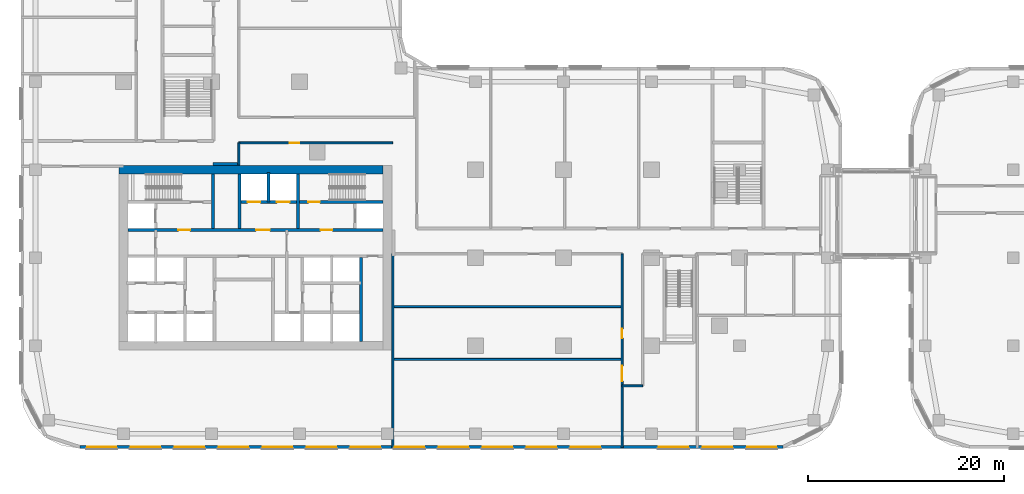
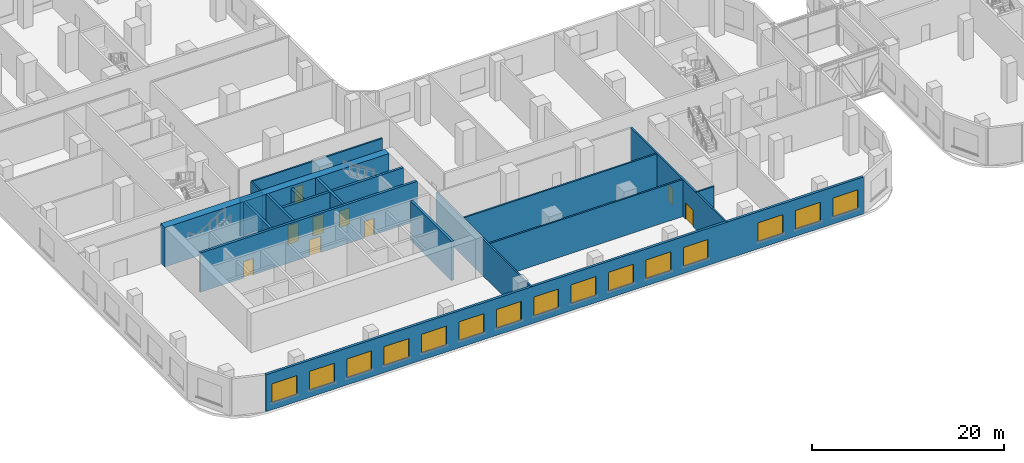
# One storey, part 7 of 35: 17 walls, 15 windows, 9 doors, 24 openings.
"""IFC4 building model written with IfcOpenShell, lengths in metres."""

import ifcopenshell
import ifcopenshell.guid

model = None  # the IFC model being written
_history = None  # IfcOwnerHistory: only IFC2X3 demands one
_inside = {}  # id of a spatial element -> (the spatial element, [elements in it])
_under = {}  # id of a project, library or spatial element -> (it, [spatial elements below it])
_declared = {}  # id of a project -> (the project, [libraries it declares])
_typed = {}  # id of a type object -> (the type object, [elements of that type])
_made_of = {}  # id of a material, layer set ... -> (it, [elements and type objects made of it])


def new_model(schema):
    """Start an empty IFC model of exactly this schema.

    Asked for "IFC4X3", IfcOpenShell would pick the latest addendum, in which some entities
    have other attributes; the version numbers below select the first issue.
    IFC2X3 requires an IfcOwnerHistory on every rooted entity: one is made here for all.
    """
    global model, _history
    if schema == "IFC4X3":
        model = ifcopenshell.file(schema_version=(4, 3, 0, 0))
    else:
        model = ifcopenshell.file(schema=schema)
    _inside.clear()
    _under.clear()
    _declared.clear()
    _typed.clear()
    _made_of.clear()
    _history = None
    if model.schema == "IFC2X3":
        org = make("IfcOrganization", Name="unknown")
        user = make(
            "IfcPersonAndOrganization",
            ThePerson=make("IfcPerson", FamilyName="unknown"),
            TheOrganization=org,
        )
        app = make(
            "IfcApplication",
            ApplicationDeveloper=org,
            Version="unknown",
            ApplicationFullName="unknown",
            ApplicationIdentifier="unknown",
        )
        _history = make(
            "IfcOwnerHistory",
            OwningUser=user,
            OwningApplication=app,
            ChangeAction="ADDED",
            CreationDate=0,
        )
    return model


def make(cls, **values):
    """One entity of the class cls with the attributes given. An attribute that is None is left unset."""
    return model.create_entity(
        cls, **{name: value for name, value in values.items() if value is not None}
    )


def rooted(cls, **values):
    """An entity with a GlobalId (a new one), such as an element, a storey or a relation."""
    return make(cls, GlobalId=ifcopenshell.guid.new(), OwnerHistory=_history, **values)


def si_unit(unit_type, name, prefix=None):
    """IfcSIUnit, for example si_unit("LENGTHUNIT", "METRE", prefix="MILLI")."""
    return make("IfcSIUnit", UnitType=unit_type, Prefix=prefix, Name=name)


def assignment(units):
    """IfcUnitAssignment: the units of a project."""
    return None if units is None else make("IfcUnitAssignment", Units=units)


def point(xyz):
    """IfcCartesianPoint."""
    return None if xyz is None else make("IfcCartesianPoint", Coordinates=xyz)


def direction(xyz):
    """IfcDirection."""
    return None if xyz is None else make("IfcDirection", DirectionRatios=xyz)


def frame(location, z_axis=None, x_axis=None):
    """IfcAxis2Placement3D, a coordinate frame: its origin and axes. An axis left out is left unset."""
    return make(
        "IfcAxis2Placement3D",
        Location=point(location),
        Axis=direction(z_axis),
        RefDirection=direction(x_axis),
    )


def frame_2d(location, x_axis=None):
    """IfcAxis2Placement2D, a coordinate frame in the plane: its origin and x axis."""
    return make(
        "IfcAxis2Placement2D", Location=point(location), RefDirection=direction(x_axis)
    )


def origin():
    """The frame at (0, 0, 0) with its axes left unset."""
    return frame((0.0, 0.0, 0.0))


def place(relative_to, where):
    """IfcLocalPlacement: puts the frame where relative to a parent placement (None: the world)."""
    return make(
        "IfcLocalPlacement", PlacementRelTo=relative_to, RelativePlacement=where
    )


def context(
    kind, dimensions, precision=None, world=None, true_north=None, identifier=None
):
    """IfcGeometricRepresentationContext, for example the 3D "Model" context."""
    return make(
        "IfcGeometricRepresentationContext",
        ContextIdentifier=identifier,
        ContextType=kind,
        CoordinateSpaceDimension=dimensions,
        Precision=precision,
        WorldCoordinateSystem=world,
        TrueNorth=true_north,
    )


def subcontext(parent, identifier, kind, view, scale=None):
    """IfcGeometricRepresentationSubContext, for example "Body" below "Model"."""
    return make(
        "IfcGeometricRepresentationSubContext",
        ContextIdentifier=identifier,
        ContextType=kind,
        ParentContext=parent,
        TargetScale=scale,
        TargetView=view,
    )


def project(units=None, contexts=None):
    """IfcProject with its units and contexts."""
    return rooted(
        "IfcProject",
        Name="project",
        RepresentationContexts=contexts,
        UnitsInContext=assignment(units),
    )


def spatial(cls, under=None, at=None, **own):
    """A site, building, storey or space (cls), placed at a placement, below another one or the project."""
    s = rooted(cls, ObjectPlacement=at, **own)
    if under is not None:
        _under.setdefault(under.id(), (under, []))[1].append(s)
    return s


def profile(cls, at=None, kind="AREA", **sizes):
    """A parametric profile (cls). Its sizes go by their IFC names, for example OverallWidth=200.0."""
    return make(cls, ProfileType=kind, Position=at, **sizes)


def rectangle(**sizes):
    """IfcRectangleProfileDef."""
    return profile("IfcRectangleProfileDef", **sizes)


def extrude(swept, where, along, depth):
    """IfcExtrudedAreaSolid: the profile swept, set in the frame where, extruded along a direction by depth."""
    return make(
        "IfcExtrudedAreaSolid",
        SweptArea=swept,
        Position=where,
        ExtrudedDirection=direction(along),
        Depth=depth,
    )


def shape(context_of_items, identifier, shape_type, items):
    """IfcShapeRepresentation: the items that make up one representation, for example the "Body"."""
    return make(
        "IfcShapeRepresentation",
        ContextOfItems=context_of_items,
        RepresentationIdentifier=identifier,
        RepresentationType=shape_type,
        Items=items,
    )


def material(Name=None, Category=None):
    """IfcMaterial."""
    return make("IfcMaterial", Name=Name, Category=Category)


def layer(
    of_material, thickness, ventilated=None, Name=None, Category=None, Priority=None
):
    """IfcMaterialLayer: one layer of a wall or slab, of a material (None: an air gap)."""
    return make(
        "IfcMaterialLayer",
        Material=of_material,
        LayerThickness=thickness,
        IsVentilated=ventilated,
        Name=Name,
        Category=Category,
        Priority=Priority,
    )


def layer_set(layers, Name=None):
    """IfcMaterialLayerSet."""
    return make("IfcMaterialLayerSet", MaterialLayers=layers, LayerSetName=Name)


def made_of(thing, what):
    """Note that an element or type object is made of a material, layer set ...; save() writes the relation."""
    if what is not None:
        _made_of.setdefault(what.id(), (what, []))[1].append(thing)
    return thing


def type_object(cls, material=None, **own):
    """A type object (cls), such as IfcWallType, which elements share."""
    return made_of(rooted(cls, **own), material)


def element(
    cls,
    number,
    at=None,
    inside=None,
    cuts=None,
    type_object=None,
    material=None,
    context=None,
    identifier="Body",
    shape_type=None,
    held_by="IfcProductDefinitionShape",
    body=None,
    shapes=None,
    **own,
):
    """One element of the class cls, such as IfcWall. Its Tag is "e" and its number.

    at: its placement. inside: the storey or other place that contains it. cuts: it is an
    opening in that element (IfcRelVoidsElement). A single representation is given by context,
    identifier, shape_type and body (its items); several are given by shapes. held_by: the class
    of the entity that holds the representations. save() writes the other relations.
    """
    e = rooted(cls, Tag="e%d" % number, ObjectPlacement=at, **own)
    if body is not None:
        shapes = [shape(context, identifier, shape_type, body)]
    if shapes is not None:
        e.Representation = make(held_by, Representations=shapes)
    if inside is not None:
        _inside.setdefault(inside.id(), (inside, []))[1].append(e)
    if cuts is not None:
        rooted(
            "IfcRelVoidsElement", RelatingBuildingElement=cuts, RelatedOpeningElement=e
        )
    if type_object is not None:
        _typed.setdefault(type_object.id(), (type_object, []))[1].append(e)
    return made_of(e, material)


def fill(opening, filler):
    """IfcRelFillsElement: the door or window that sits in an opening."""
    return rooted(
        "IfcRelFillsElement",
        RelatingOpeningElement=opening,
        RelatedBuildingElement=filler,
    )


def aggregate(whole, parts):
    """IfcRelAggregates: a whole, such as a stair, and the parts it consists of."""
    return rooted("IfcRelAggregates", RelatingObject=whole, RelatedObjects=parts)


def save(model, path):
    """Write the relations noted so far, then the file.

    IfcRelAggregates (storeys below a building ...), IfcRelContainedInSpatialStructure (elements
    in a storey), IfcRelDefinesByType, IfcRelAssociatesMaterial and IfcRelDeclares: one each for
    every whole, place, type object, material and project.
    """
    for whole, parts in _under.values():
        aggregate(whole, parts)
    for where, things in _inside.values():
        rooted(
            "IfcRelContainedInSpatialStructure",
            RelatedElements=things,
            RelatingStructure=where,
        )
    for kind, things in _typed.values():
        rooted("IfcRelDefinesByType", RelatedObjects=things, RelatingType=kind)
    for what, things in _made_of.values():
        rooted("IfcRelAssociatesMaterial", RelatedObjects=things, RelatingMaterial=what)
    for by, libraries in _declared.values():
        rooted("IfcRelDeclares", RelatingContext=by, RelatedDefinitions=libraries)
    model.write(path)


model = new_model("IFC4")

# Units and contexts
model_context = context("Model", 3, precision=1e-05, world=origin(), true_north=direction((0.0, 1.0)))
body_context = subcontext(model_context, "Body", "Model", "MODEL_VIEW")
ifc_project = project(units=[si_unit("LENGTHUNIT", "METRE"), si_unit("AREAUNIT", "SQUARE_METRE"), si_unit("VOLUMEUNIT", "CUBIC_METRE"), si_unit("PLANEANGLEUNIT", "RADIAN"), si_unit("MASSUNIT", "GRAM", prefix="KILO")], contexts=[model_context])

# Site, building, storey
site_placement = place(None, origin())
site = spatial("IfcSite", under=ifc_project, at=site_placement, CompositionType="ELEMENT")
building_placement = place(site_placement, origin())
building = spatial("IfcBuilding", under=site, at=building_placement, Name="Ogive Portal Towers", CompositionType="ELEMENT")
storey_placement = place(building_placement, frame((0.0, 0.0, 18.5)))
storey = spatial("IfcBuildingStorey", under=building, at=storey_placement, Name="L03", CompositionType="ELEMENT", Elevation=18.5)

# Wall
ifc_material_1 = material(Name="Concrete C60/75", Category="concrete")
ifc_layer_1 = layer(ifc_material_1, 0.300048828125)
ifc_layer_set_1 = layer_set([ifc_layer_1], Name="CORE WALL 300 C60")
wall_type_1 = type_object("IfcWallType", Name="CORE WALL 300 C60", PredefinedType="SHEAR", material=ifc_layer_set_1)
wall_1_placement = place(storey_placement, frame((55.800048828125, 21.949951171875, 0.0), z_axis=(0.0, 0.0, 1.0), x_axis=(0.0, 1.0, 0.0)))
element("IfcWall", 1, at=wall_1_placement, inside=storey, type_object=wall_type_1, Name="Core wall X5 L03", PredefinedType="SHEAR", context=body_context, shape_type="SweptSolid", body=[
    extrude(rectangle(XDim=8.550048828125, YDim=0.300048828125, at=frame_2d((4.27490234375, 0.0))), origin(), (0.0, 0.0, 1.0), 5.0),
])

# Wall, openings, doors
wall_2_placement = place(storey_placement, frame((31.949951171875, 33.35009765625, 0.0), z_axis=(0.0, 0.0, 1.0), x_axis=(1.0, 0.0, 0.0)))
wall_2 = element("IfcWall", 2, at=wall_2_placement, inside=storey, type_object=wall_type_1, Name="Core wall Y2 L03", PredefinedType="SHEAR", context=body_context, shape_type="SweptSolid", body=[
    extrude(rectangle(XDim=26.10009765625, YDim=0.300048828125, at=frame_2d((13.050048828125, 0.0))), origin(), (0.0, 0.0, 1.0), 5.0),
])
opening_1_placement = place(wall_2_placement, frame((13.125, 0.0, 0.0)))
opening_1 = element("IfcOpeningElement", 3, at=opening_1_placement, cuts=wall_2, Name="Opening D105-003", PredefinedType="OPENING", context=body_context, shape_type="SweptSolid", body=[
    extrude(rectangle(XDim=1.39990234375, YDim=2.10009765625, at=frame_2d((0.699951171875, 1.050048828125))), frame((0.0, 0.16015625, 0.0), z_axis=(0.0, -1.0, 0.0), x_axis=(1.0, 0.0, 0.0)), (0.0, 0.0, 1.0), 0.320068359375),
])
opening_2_placement = place(wall_2_placement, frame((5.175048828125, 0.0, 0.0)))
opening_2 = element("IfcOpeningElement", 4, at=opening_2_placement, cuts=wall_2, Name="Opening D105-004", PredefinedType="OPENING", context=body_context, shape_type="SweptSolid", body=[
    extrude(rectangle(XDim=1.199951171875, YDim=2.10009765625, at=frame_2d((0.60009765625, 1.050048828125))), frame((0.0, 0.16015625, 0.0), z_axis=(0.0, -1.0, 0.0), x_axis=(1.0, 0.0, 0.0)), (0.0, 0.0, 1.0), 0.320068359375),
])
opening_3_placement = place(wall_2_placement, frame((19.72509765625, 0.0, 0.0)))
opening_3 = element("IfcOpeningElement", 5, at=opening_3_placement, cuts=wall_2, Name="Opening D105-005", PredefinedType="OPENING", context=body_context, shape_type="SweptSolid", body=[
    extrude(rectangle(XDim=1.199951171875, YDim=2.10009765625, at=frame_2d((0.60009765625, 1.050048828125))), frame((0.0, 0.16015625, 0.0), z_axis=(0.0, -1.0, 0.0), x_axis=(1.0, 0.0, 0.0)), (0.0, 0.0, 1.0), 0.320068359375),
])
ifc_material_2 = material(Name="Steel fire door", Category="steel")
door_type_1 = type_object("IfcDoorType", Name="DT-SWING-1200x2100-FD90S", OperationType="SINGLE_SWING_LEFT", PredefinedType="DOOR", material=ifc_material_2)
door_1_placement = place(opening_2_placement, origin())
door_1 = element("IfcDoor", 6, at=door_1_placement, inside=storey, type_object=door_type_1, Name="Door D105-004", OperationType="SINGLE_SWING_LEFT", OverallHeight=2.10009765625, OverallWidth=1.199951171875, PredefinedType="DOOR", context=body_context, shape_type="SweptSolid", body=[
    extrude(rectangle(XDim=1.199951171875, YDim=2.10009765625, at=frame_2d((0.60009765625, 1.050048828125))), frame((0.0, 0.02490234375, 0.0), z_axis=(0.0, -1.0, 0.0), x_axis=(1.0, 0.0, 0.0)), (0.0, 0.0, 1.0), 0.050048828125),
])
fill(opening_2, door_1)
door_2_placement = place(opening_3_placement, origin())
door_2 = element("IfcDoor", 7, at=door_2_placement, inside=storey, type_object=door_type_1, Name="Door D105-005", OperationType="SINGLE_SWING_RIGHT", OverallHeight=2.10009765625, OverallWidth=1.199951171875, PredefinedType="DOOR", context=body_context, shape_type="SweptSolid", body=[
    extrude(rectangle(XDim=1.199951171875, YDim=2.10009765625, at=frame_2d((0.60009765625, 1.050048828125))), frame((0.0, 0.02490234375, 0.0), z_axis=(0.0, -1.0, 0.0), x_axis=(1.0, 0.0, 0.0)), (0.0, 0.0, 1.0), 0.050048828125),
])
fill(opening_3, door_2)
door_type_2 = type_object("IfcDoorType", Name="DT-SWING-1400x2100-FD90S", OperationType="SINGLE_SWING_LEFT", PredefinedType="DOOR", material=ifc_material_2)
door_3_placement = place(opening_1_placement, origin())
door_3 = element("IfcDoor", 8, at=door_3_placement, inside=storey, type_object=door_type_2, Name="Door D105-003", OperationType="SINGLE_SWING_RIGHT", OverallHeight=2.10009765625, OverallWidth=1.39990234375, PredefinedType="DOOR", context=body_context, shape_type="SweptSolid", body=[
    extrude(rectangle(XDim=1.39990234375, YDim=2.10009765625, at=frame_2d((0.699951171875, 1.050048828125))), frame((0.0, 0.02490234375, 0.0), z_axis=(0.0, -1.0, 0.0), x_axis=(1.0, 0.0, 0.0)), (0.0, 0.0, 1.0), 0.050048828125),
])
fill(opening_1, door_3)

wall_3_placement = place(storey_placement, frame((43.5, 36.199951171875, 0.0), z_axis=(0.0, 0.0, 1.0), x_axis=(1.0, 0.0, 0.0)))
wall_3 = element("IfcWall", 9, at=wall_3_placement, inside=storey, type_object=wall_type_1, Name="Core wall Y3b L03", PredefinedType="SHEAR", context=body_context, shape_type="SweptSolid", body=[
    extrude(rectangle(XDim=14.550048828125, YDim=0.300048828125, at=frame_2d((7.27490234375, 0.0))), origin(), (0.0, 0.0, 1.0), 5.0),
])
opening_4_placement = place(wall_3_placement, frame((6.89990234375, 0.0, 0.0)))
opening_4 = element("IfcOpeningElement", 10, at=opening_4_placement, cuts=wall_3, Name="Opening D105-007", PredefinedType="OPENING", context=body_context, shape_type="SweptSolid", body=[
    extrude(rectangle(XDim=1.199951171875, YDim=2.10009765625, at=frame_2d((0.60009765625, 1.050048828125))), frame((0.0, 0.16015625, 0.0), z_axis=(0.0, -1.0, 0.0), x_axis=(1.0, 0.0, 0.0)), (0.0, 0.0, 1.0), 0.320068359375),
])
opening_5_placement = place(wall_3_placement, frame((0.699951171875, 0.0, 0.0)))
opening_5 = element("IfcOpeningElement", 11, at=opening_5_placement, cuts=wall_3, Name="Opening D105-015", PredefinedType="OPENING", context=body_context, shape_type="SweptSolid", body=[
    extrude(rectangle(XDim=1.300048828125, YDim=2.39990234375, at=frame_2d((0.64990234375, 1.199951171875))), frame((0.0, 0.16015625, 0.0), z_axis=(0.0, -1.0, 0.0), x_axis=(1.0, 0.0, 0.0)), (0.0, 0.0, 1.0), 0.320068359375),
])
opening_6_placement = place(wall_3_placement, frame((3.699951171875, 0.0, 0.0)))
opening_6 = element("IfcOpeningElement", 12, at=opening_6_placement, cuts=wall_3, Name="Opening D105-016", PredefinedType="OPENING", context=body_context, shape_type="SweptSolid", body=[
    extrude(rectangle(XDim=1.300048828125, YDim=2.39990234375, at=frame_2d((0.64990234375, 1.199951171875))), frame((0.0, 0.16015625, 0.0), z_axis=(0.0, -1.0, 0.0), x_axis=(1.0, 0.0, 0.0)), (0.0, 0.0, 1.0), 0.320068359375),
])
ifc_material_3 = material(Name="Stainless steel", Category="steel")
door_type_3 = type_object("IfcDoorType", Name="DT-LD-1300x2400", OperationType="SLIDING_TO_LEFT", PredefinedType="DOOR", material=ifc_material_3)
door_4_placement = place(opening_5_placement, origin())
door_4 = element("IfcDoor", 13, at=door_4_placement, inside=storey, type_object=door_type_3, Name="Door D105-015", OperationType="SLIDING_TO_LEFT", OverallHeight=2.39990234375, OverallWidth=1.300048828125, PredefinedType="DOOR", context=body_context, shape_type="SweptSolid", body=[
    extrude(rectangle(XDim=1.300048828125, YDim=2.39990234375, at=frame_2d((0.64990234375, 1.199951171875))), frame((0.0, 0.02490234375, 0.0), z_axis=(0.0, -1.0, 0.0), x_axis=(1.0, 0.0, 0.0)), (0.0, 0.0, 1.0), 0.050048828125),
])
fill(opening_5, door_4)
door_5_placement = place(opening_6_placement, origin())
door_5 = element("IfcDoor", 14, at=door_5_placement, inside=storey, type_object=door_type_3, Name="Door D105-016", OperationType="SLIDING_TO_LEFT", OverallHeight=2.39990234375, OverallWidth=1.300048828125, PredefinedType="DOOR", context=body_context, shape_type="SweptSolid", body=[
    extrude(rectangle(XDim=1.300048828125, YDim=2.39990234375, at=frame_2d((0.64990234375, 1.199951171875))), frame((0.0, 0.02490234375, 0.0), z_axis=(0.0, -1.0, 0.0), x_axis=(1.0, 0.0, 0.0)), (0.0, 0.0, 1.0), 0.050048828125),
])
fill(opening_6, door_5)
door_6_placement = place(opening_4_placement, origin())
door_6 = element("IfcDoor", 15, at=door_6_placement, inside=storey, type_object=door_type_1, Name="Door D105-007", OperationType="SINGLE_SWING_LEFT", OverallHeight=2.10009765625, OverallWidth=1.199951171875, PredefinedType="DOOR", context=body_context, shape_type="SweptSolid", body=[
    extrude(rectangle(XDim=1.199951171875, YDim=2.10009765625, at=frame_2d((0.60009765625, 1.050048828125))), frame((0.0, 0.02490234375, 0.0), z_axis=(0.0, -1.0, 0.0), x_axis=(1.0, 0.0, 0.0)), (0.0, 0.0, 1.0), 0.050048828125),
])
fill(opening_4, door_6)

# Walls
for number, where, z_axis, x_axis, name in (
    (16, (40.64990234375, 33.5, 0.0), (0.0, 0.0, 1.0), (0.0, 1.0, 0.0), "Core wall X6 L03"),
    (17, (43.35009765625, 33.5, 0.0), (0.0, 0.0, 1.0), (0.0, 1.0, 0.0), "Core wall X7 L03"),
    (18, (49.35009765625, 33.5, 0.0), (0.0, 0.0, 1.0), (0.0, 1.0, 0.0), "Core wall X9 L03"),
):
    element("IfcWall", number, at=place(storey_placement, frame(where, z_axis=z_axis, x_axis=x_axis)), inside=storey, type_object=wall_type_1, Name=name, PredefinedType="SHEAR", context=body_context, shape_type="SweptSolid", body=[
        extrude(rectangle(XDim=5.550048828125, YDim=0.300048828125, at=frame_2d((2.77490234375, 0.0))), origin(), (0.0, 0.0, 1.0), 5.0),
    ])
ifc_layer_2 = layer(ifc_material_1, 0.89990234375)
ifc_layer_set_2 = layer_set([ifc_layer_2], Name="CORE WALL 900 C60")
wall_type_2 = type_object("IfcWallType", Name="CORE WALL 900 C60", PredefinedType="SHEAR", material=ifc_layer_set_2)
wall_4_placement = place(storey_placement, frame((31.050048828125, 39.5, 0.0), z_axis=(0.0, 0.0, 1.0), x_axis=(1.0, 0.0, 0.0)))
element("IfcWall", 19, at=wall_4_placement, inside=storey, type_object=wall_type_2, Name="Core wall N L03", PredefinedType="SHEAR", context=body_context, shape_type="SweptSolid", body=[
    extrude(rectangle(XDim=27.0, YDim=0.89990234375, at=frame_2d((13.5, 0.0))), origin(), (0.0, 0.0, 1.0), 5.0),
])

# Wall, openings, windows
ifc_material_4 = material(Name="Limestone cladding on lightweight block wall", Category="masonry")
ifc_layer_3 = layer(ifc_material_4, 0.300048828125)
ifc_layer_set_3 = layer_set([ifc_layer_3], Name="EXTERNAL WALL 300 STONE")
wall_type_3 = type_object("IfcWallType", Name="EXTERNAL WALL 300 STONE", PredefinedType="SOLIDWALL", material=ifc_layer_set_3)
wall_5_placement = place(storey_placement, frame((27.047607421875, 11.14990234375, 0.0), z_axis=(0.0, 0.0, 1.0), x_axis=(1.0, 0.0, 0.0)))
wall_5 = element("IfcWall", 20, at=wall_5_placement, inside=storey, type_object=wall_type_3, Name="A:L03:f02:w0", PredefinedType="SOLIDWALL", context=body_context, shape_type="SweptSolid", body=[
    extrude(rectangle(XDim=71.88037109375, YDim=0.300048828125, at=frame_2d((35.940185546875, 0.0))), origin(), (0.0, 0.0, 1.0), 4.699951171875),
])
opening_7_placement = place(wall_5_placement, frame((0.726318359375, 0.0, 0.89990234375)))
opening_7 = element("IfcOpeningElement", 21, at=opening_7_placement, cuts=wall_5, Name="Opening WN3", PredefinedType="OPENING", context=body_context, shape_type="SweptSolid", body=[
    extrude(rectangle(XDim=3.0, YDim=2.39990234375, at=frame_2d((1.5, 1.199951171875))), frame((0.0, 0.16015625, 0.0), z_axis=(0.0, -1.0, 0.0), x_axis=(1.0, 0.0, 0.0)), (0.0, 0.0, 1.0), 0.320068359375),
])
opening_8_placement = place(wall_5_placement, frame((5.202392578125, 0.0, 0.89990234375)))
opening_8 = element("IfcOpeningElement", 22, at=opening_8_placement, cuts=wall_5, Name="Opening WN3", PredefinedType="OPENING", context=body_context, shape_type="SweptSolid", body=[
    extrude(rectangle(XDim=3.0, YDim=2.39990234375, at=frame_2d((1.5, 1.199951171875))), frame((0.0, 0.16015625, 0.0), z_axis=(0.0, -1.0, 0.0), x_axis=(1.0, 0.0, 0.0)), (0.0, 0.0, 1.0), 0.320068359375),
])
opening_9_placement = place(wall_5_placement, frame((9.702392578125, 0.0, 0.89990234375)))
opening_9 = element("IfcOpeningElement", 23, at=opening_9_placement, cuts=wall_5, Name="Opening WN3", PredefinedType="OPENING", context=body_context, shape_type="SweptSolid", body=[
    extrude(rectangle(XDim=3.0, YDim=2.39990234375, at=frame_2d((1.5, 1.199951171875))), frame((0.0, 0.16015625, 0.0), z_axis=(0.0, -1.0, 0.0), x_axis=(1.0, 0.0, 0.0)), (0.0, 0.0, 1.0), 0.320068359375),
])
opening_10_placement = place(wall_5_placement, frame((14.202392578125, 0.0, 0.89990234375)))
opening_10 = element("IfcOpeningElement", 24, at=opening_10_placement, cuts=wall_5, Name="Opening WN3", PredefinedType="OPENING", context=body_context, shape_type="SweptSolid", body=[
    extrude(rectangle(XDim=3.0, YDim=2.39990234375, at=frame_2d((1.5, 1.199951171875))), frame((0.0, 0.16015625, 0.0), z_axis=(0.0, -1.0, 0.0), x_axis=(1.0, 0.0, 0.0)), (0.0, 0.0, 1.0), 0.320068359375),
])
opening_11_placement = place(wall_5_placement, frame((18.702392578125, 0.0, 0.89990234375)))
opening_11 = element("IfcOpeningElement", 25, at=opening_11_placement, cuts=wall_5, Name="Opening WN3", PredefinedType="OPENING", context=body_context, shape_type="SweptSolid", body=[
    extrude(rectangle(XDim=3.0, YDim=2.39990234375, at=frame_2d((1.5, 1.199951171875))), frame((0.0, 0.16015625, 0.0), z_axis=(0.0, -1.0, 0.0), x_axis=(1.0, 0.0, 0.0)), (0.0, 0.0, 1.0), 0.320068359375),
])
opening_12_placement = place(wall_5_placement, frame((23.202392578125, 0.0, 0.89990234375)))
opening_12 = element("IfcOpeningElement", 26, at=opening_12_placement, cuts=wall_5, Name="Opening WN3", PredefinedType="OPENING", context=body_context, shape_type="SweptSolid", body=[
    extrude(rectangle(XDim=3.0, YDim=2.39990234375, at=frame_2d((1.5, 1.199951171875))), frame((0.0, 0.16015625, 0.0), z_axis=(0.0, -1.0, 0.0), x_axis=(1.0, 0.0, 0.0)), (0.0, 0.0, 1.0), 0.320068359375),
])
opening_13_placement = place(wall_5_placement, frame((27.702392578125, 0.0, 0.89990234375)))
opening_13 = element("IfcOpeningElement", 27, at=opening_13_placement, cuts=wall_5, Name="Opening WN3", PredefinedType="OPENING", context=body_context, shape_type="SweptSolid", body=[
    extrude(rectangle(XDim=3.0, YDim=2.39990234375, at=frame_2d((1.5, 1.199951171875))), frame((0.0, 0.16015625, 0.0), z_axis=(0.0, -1.0, 0.0), x_axis=(1.0, 0.0, 0.0)), (0.0, 0.0, 1.0), 0.320068359375),
])
opening_14_placement = place(wall_5_placement, frame((32.202392578125, 0.0, 0.89990234375)))
opening_14 = element("IfcOpeningElement", 28, at=opening_14_placement, cuts=wall_5, Name="Opening WN3", PredefinedType="OPENING", context=body_context, shape_type="SweptSolid", body=[
    extrude(rectangle(XDim=3.0, YDim=2.39990234375, at=frame_2d((1.5, 1.199951171875))), frame((0.0, 0.16015625, 0.0), z_axis=(0.0, -1.0, 0.0), x_axis=(1.0, 0.0, 0.0)), (0.0, 0.0, 1.0), 0.320068359375),
])
opening_15_placement = place(wall_5_placement, frame((36.702392578125, 0.0, 0.89990234375)))
opening_15 = element("IfcOpeningElement", 29, at=opening_15_placement, cuts=wall_5, Name="Opening WN3", PredefinedType="OPENING", context=body_context, shape_type="SweptSolid", body=[
    extrude(rectangle(XDim=3.0, YDim=2.39990234375, at=frame_2d((1.5, 1.199951171875))), frame((0.0, 0.16015625, 0.0), z_axis=(0.0, -1.0, 0.0), x_axis=(1.0, 0.0, 0.0)), (0.0, 0.0, 1.0), 0.320068359375),
])
opening_16_placement = place(wall_5_placement, frame((41.202392578125, 0.0, 0.89990234375)))
opening_16 = element("IfcOpeningElement", 30, at=opening_16_placement, cuts=wall_5, Name="Opening WN3", PredefinedType="OPENING", context=body_context, shape_type="SweptSolid", body=[
    extrude(rectangle(XDim=3.0, YDim=2.39990234375, at=frame_2d((1.5, 1.199951171875))), frame((0.0, 0.16015625, 0.0), z_axis=(0.0, -1.0, 0.0), x_axis=(1.0, 0.0, 0.0)), (0.0, 0.0, 1.0), 0.320068359375),
])
opening_17_placement = place(wall_5_placement, frame((45.702392578125, 0.0, 0.89990234375)))
opening_17 = element("IfcOpeningElement", 31, at=opening_17_placement, cuts=wall_5, Name="Opening WN3", PredefinedType="OPENING", context=body_context, shape_type="SweptSolid", body=[
    extrude(rectangle(XDim=3.0, YDim=2.39990234375, at=frame_2d((1.5, 1.199951171875))), frame((0.0, 0.16015625, 0.0), z_axis=(0.0, -1.0, 0.0), x_axis=(1.0, 0.0, 0.0)), (0.0, 0.0, 1.0), 0.320068359375),
])
opening_18_placement = place(wall_5_placement, frame((50.202392578125, 0.0, 0.89990234375)))
opening_18 = element("IfcOpeningElement", 32, at=opening_18_placement, cuts=wall_5, Name="Opening WN3", PredefinedType="OPENING", context=body_context, shape_type="SweptSolid", body=[
    extrude(rectangle(XDim=3.0, YDim=2.39990234375, at=frame_2d((1.5, 1.199951171875))), frame((0.0, 0.16015625, 0.0), z_axis=(0.0, -1.0, 0.0), x_axis=(1.0, 0.0, 0.0)), (0.0, 0.0, 1.0), 0.320068359375),
])
opening_19_placement = place(wall_5_placement, frame((59.202392578125, 0.0, 0.89990234375)))
opening_19 = element("IfcOpeningElement", 33, at=opening_19_placement, cuts=wall_5, Name="Opening WN3", PredefinedType="OPENING", context=body_context, shape_type="SweptSolid", body=[
    extrude(rectangle(XDim=3.0, YDim=2.39990234375, at=frame_2d((1.5, 1.199951171875))), frame((0.0, 0.16015625, 0.0), z_axis=(0.0, -1.0, 0.0), x_axis=(1.0, 0.0, 0.0)), (0.0, 0.0, 1.0), 0.320068359375),
])
opening_20_placement = place(wall_5_placement, frame((63.702392578125, 0.0, 0.89990234375)))
opening_20 = element("IfcOpeningElement", 34, at=opening_20_placement, cuts=wall_5, Name="Opening WN3", PredefinedType="OPENING", context=body_context, shape_type="SweptSolid", body=[
    extrude(rectangle(XDim=3.0, YDim=2.39990234375, at=frame_2d((1.5, 1.199951171875))), frame((0.0, 0.16015625, 0.0), z_axis=(0.0, -1.0, 0.0), x_axis=(1.0, 0.0, 0.0)), (0.0, 0.0, 1.0), 0.320068359375),
])
opening_21_placement = place(wall_5_placement, frame((68.226318359375, 0.0, 0.89990234375)))
opening_21 = element("IfcOpeningElement", 35, at=opening_21_placement, cuts=wall_5, Name="Opening WN3", PredefinedType="OPENING", context=body_context, shape_type="SweptSolid", body=[
    extrude(rectangle(XDim=3.0, YDim=2.39990234375, at=frame_2d((1.5, 1.199951171875))), frame((0.0, 0.16015625, 0.0), z_axis=(0.0, -1.0, 0.0), x_axis=(1.0, 0.0, 0.0)), (0.0, 0.0, 1.0), 0.320068359375),
])
ifc_material_5 = material(Name="Glass, clear low-iron insulated glazing", Category="glass")
window_type = type_object("IfcWindowType", Name="WINDOW PODIUM 3000x2400", PartitioningType="SINGLE_PANEL", PredefinedType="WINDOW", material=ifc_material_5)
window_1_placement = place(opening_7_placement, origin())
window_1 = element("IfcWindow", 36, at=window_1_placement, inside=storey, type_object=window_type, Name="A:L03:f02:w0:o0", OverallHeight=2.39990234375, OverallWidth=3.0, PartitioningType="SINGLE_PANEL", PredefinedType="WINDOW", context=body_context, shape_type="SweptSolid", body=[
    extrude(rectangle(XDim=3.0, YDim=2.39990234375, at=frame_2d((1.5, 1.199951171875))), frame((0.0, 0.030029296875, 0.0), z_axis=(0.0, -1.0, 0.0), x_axis=(1.0, 0.0, 0.0)), (0.0, 0.0, 1.0), 0.06005859375),
])
fill(opening_7, window_1)
window_2_placement = place(opening_8_placement, origin())
window_2 = element("IfcWindow", 37, at=window_2_placement, inside=storey, type_object=window_type, Name="A:L03:f02:w0:o1a", OverallHeight=2.39990234375, OverallWidth=3.0, PartitioningType="SINGLE_PANEL", PredefinedType="WINDOW", context=body_context, shape_type="SweptSolid", body=[
    extrude(rectangle(XDim=3.0, YDim=2.39990234375, at=frame_2d((1.5, 1.199951171875))), frame((0.0, 0.030029296875, 0.0), z_axis=(0.0, -1.0, 0.0), x_axis=(1.0, 0.0, 0.0)), (0.0, 0.0, 1.0), 0.06005859375),
])
fill(opening_8, window_2)
window_3_placement = place(opening_9_placement, origin())
window_3 = element("IfcWindow", 38, at=window_3_placement, inside=storey, type_object=window_type, Name="A:L03:f02:w0:o1b", OverallHeight=2.39990234375, OverallWidth=3.0, PartitioningType="SINGLE_PANEL", PredefinedType="WINDOW", context=body_context, shape_type="SweptSolid", body=[
    extrude(rectangle(XDim=3.0, YDim=2.39990234375, at=frame_2d((1.5, 1.199951171875))), frame((0.0, 0.030029296875, 0.0), z_axis=(0.0, -1.0, 0.0), x_axis=(1.0, 0.0, 0.0)), (0.0, 0.0, 1.0), 0.06005859375),
])
fill(opening_9, window_3)
window_4_placement = place(opening_10_placement, origin())
window_4 = element("IfcWindow", 39, at=window_4_placement, inside=storey, type_object=window_type, Name="A:L03:f02:w0:o2a", OverallHeight=2.39990234375, OverallWidth=3.0, PartitioningType="SINGLE_PANEL", PredefinedType="WINDOW", context=body_context, shape_type="SweptSolid", body=[
    extrude(rectangle(XDim=3.0, YDim=2.39990234375, at=frame_2d((1.5, 1.199951171875))), frame((0.0, 0.030029296875, 0.0), z_axis=(0.0, -1.0, 0.0), x_axis=(1.0, 0.0, 0.0)), (0.0, 0.0, 1.0), 0.06005859375),
])
fill(opening_10, window_4)
window_5_placement = place(opening_11_placement, origin())
window_5 = element("IfcWindow", 40, at=window_5_placement, inside=storey, type_object=window_type, Name="A:L03:f02:w0:o2b", OverallHeight=2.39990234375, OverallWidth=3.0, PartitioningType="SINGLE_PANEL", PredefinedType="WINDOW", context=body_context, shape_type="SweptSolid", body=[
    extrude(rectangle(XDim=3.0, YDim=2.39990234375, at=frame_2d((1.5, 1.199951171875))), frame((0.0, 0.030029296875, 0.0), z_axis=(0.0, -1.0, 0.0), x_axis=(1.0, 0.0, 0.0)), (0.0, 0.0, 1.0), 0.06005859375),
])
fill(opening_11, window_5)
window_6_placement = place(opening_12_placement, origin())
window_6 = element("IfcWindow", 41, at=window_6_placement, inside=storey, type_object=window_type, Name="A:L03:f02:w0:o3a", OverallHeight=2.39990234375, OverallWidth=3.0, PartitioningType="SINGLE_PANEL", PredefinedType="WINDOW", context=body_context, shape_type="SweptSolid", body=[
    extrude(rectangle(XDim=3.0, YDim=2.39990234375, at=frame_2d((1.5, 1.199951171875))), frame((0.0, 0.030029296875, 0.0), z_axis=(0.0, -1.0, 0.0), x_axis=(1.0, 0.0, 0.0)), (0.0, 0.0, 1.0), 0.06005859375),
])
fill(opening_12, window_6)
window_7_placement = place(opening_13_placement, origin())
window_7 = element("IfcWindow", 42, at=window_7_placement, inside=storey, type_object=window_type, Name="A:L03:f02:w0:o3b", OverallHeight=2.39990234375, OverallWidth=3.0, PartitioningType="SINGLE_PANEL", PredefinedType="WINDOW", context=body_context, shape_type="SweptSolid", body=[
    extrude(rectangle(XDim=3.0, YDim=2.39990234375, at=frame_2d((1.5, 1.199951171875))), frame((0.0, 0.030029296875, 0.0), z_axis=(0.0, -1.0, 0.0), x_axis=(1.0, 0.0, 0.0)), (0.0, 0.0, 1.0), 0.06005859375),
])
fill(opening_13, window_7)
window_8_placement = place(opening_14_placement, origin())
window_8 = element("IfcWindow", 43, at=window_8_placement, inside=storey, type_object=window_type, Name="A:L03:f02:w0:o4a", OverallHeight=2.39990234375, OverallWidth=3.0, PartitioningType="SINGLE_PANEL", PredefinedType="WINDOW", context=body_context, shape_type="SweptSolid", body=[
    extrude(rectangle(XDim=3.0, YDim=2.39990234375, at=frame_2d((1.5, 1.199951171875))), frame((0.0, 0.030029296875, 0.0), z_axis=(0.0, -1.0, 0.0), x_axis=(1.0, 0.0, 0.0)), (0.0, 0.0, 1.0), 0.06005859375),
])
fill(opening_14, window_8)
window_9_placement = place(opening_15_placement, origin())
window_9 = element("IfcWindow", 44, at=window_9_placement, inside=storey, type_object=window_type, Name="A:L03:f02:w0:o4b", OverallHeight=2.39990234375, OverallWidth=3.0, PartitioningType="SINGLE_PANEL", PredefinedType="WINDOW", context=body_context, shape_type="SweptSolid", body=[
    extrude(rectangle(XDim=3.0, YDim=2.39990234375, at=frame_2d((1.5, 1.199951171875))), frame((0.0, 0.030029296875, 0.0), z_axis=(0.0, -1.0, 0.0), x_axis=(1.0, 0.0, 0.0)), (0.0, 0.0, 1.0), 0.06005859375),
])
fill(opening_15, window_9)
window_10_placement = place(opening_16_placement, origin())
window_10 = element("IfcWindow", 45, at=window_10_placement, inside=storey, type_object=window_type, Name="A:L03:f02:w0:o5a", OverallHeight=2.39990234375, OverallWidth=3.0, PartitioningType="SINGLE_PANEL", PredefinedType="WINDOW", context=body_context, shape_type="SweptSolid", body=[
    extrude(rectangle(XDim=3.0, YDim=2.39990234375, at=frame_2d((1.5, 1.199951171875))), frame((0.0, 0.030029296875, 0.0), z_axis=(0.0, -1.0, 0.0), x_axis=(1.0, 0.0, 0.0)), (0.0, 0.0, 1.0), 0.06005859375),
])
fill(opening_16, window_10)
window_11_placement = place(opening_17_placement, origin())
window_11 = element("IfcWindow", 46, at=window_11_placement, inside=storey, type_object=window_type, Name="A:L03:f02:w0:o5b", OverallHeight=2.39990234375, OverallWidth=3.0, PartitioningType="SINGLE_PANEL", PredefinedType="WINDOW", context=body_context, shape_type="SweptSolid", body=[
    extrude(rectangle(XDim=3.0, YDim=2.39990234375, at=frame_2d((1.5, 1.199951171875))), frame((0.0, 0.030029296875, 0.0), z_axis=(0.0, -1.0, 0.0), x_axis=(1.0, 0.0, 0.0)), (0.0, 0.0, 1.0), 0.06005859375),
])
fill(opening_17, window_11)
window_12_placement = place(opening_18_placement, origin())
window_12 = element("IfcWindow", 47, at=window_12_placement, inside=storey, type_object=window_type, Name="A:L03:f02:w0:o6a", OverallHeight=2.39990234375, OverallWidth=3.0, PartitioningType="SINGLE_PANEL", PredefinedType="WINDOW", context=body_context, shape_type="SweptSolid", body=[
    extrude(rectangle(XDim=3.0, YDim=2.39990234375, at=frame_2d((1.5, 1.199951171875))), frame((0.0, 0.030029296875, 0.0), z_axis=(0.0, -1.0, 0.0), x_axis=(1.0, 0.0, 0.0)), (0.0, 0.0, 1.0), 0.06005859375),
])
fill(opening_18, window_12)
window_13_placement = place(opening_19_placement, origin())
window_13 = element("IfcWindow", 48, at=window_13_placement, inside=storey, type_object=window_type, Name="A:L03:f02:w0:o7a", OverallHeight=2.39990234375, OverallWidth=3.0, PartitioningType="SINGLE_PANEL", PredefinedType="WINDOW", context=body_context, shape_type="SweptSolid", body=[
    extrude(rectangle(XDim=3.0, YDim=2.39990234375, at=frame_2d((1.5, 1.199951171875))), frame((0.0, 0.030029296875, 0.0), z_axis=(0.0, -1.0, 0.0), x_axis=(1.0, 0.0, 0.0)), (0.0, 0.0, 1.0), 0.06005859375),
])
fill(opening_19, window_13)
window_14_placement = place(opening_20_placement, origin())
window_14 = element("IfcWindow", 49, at=window_14_placement, inside=storey, type_object=window_type, Name="A:L03:f02:w0:o7b", OverallHeight=2.39990234375, OverallWidth=3.0, PartitioningType="SINGLE_PANEL", PredefinedType="WINDOW", context=body_context, shape_type="SweptSolid", body=[
    extrude(rectangle(XDim=3.0, YDim=2.39990234375, at=frame_2d((1.5, 1.199951171875))), frame((0.0, 0.030029296875, 0.0), z_axis=(0.0, -1.0, 0.0), x_axis=(1.0, 0.0, 0.0)), (0.0, 0.0, 1.0), 0.06005859375),
])
fill(opening_20, window_14)
window_15_placement = place(opening_21_placement, origin())
window_15 = element("IfcWindow", 50, at=window_15_placement, inside=storey, type_object=window_type, Name="A:L03:f02:w0:o8", OverallHeight=2.39990234375, OverallWidth=3.0, PartitioningType="SINGLE_PANEL", PredefinedType="WINDOW", context=body_context, shape_type="SweptSolid", body=[
    extrude(rectangle(XDim=3.0, YDim=2.39990234375, at=frame_2d((1.5, 1.199951171875))), frame((0.0, 0.030029296875, 0.0), z_axis=(0.0, -1.0, 0.0), x_axis=(1.0, 0.0, 0.0)), (0.0, 0.0, 1.0), 0.06005859375),
])
fill(opening_21, window_15)

# Walls
ifc_material_6 = material(Name="Gypsum board partition on steel studs", Category="steel")
ifc_layer_4 = layer(ifc_material_6, 0.199951171875)
ifc_layer_set_4 = layer_set([ifc_layer_4], Name="WT-PART-200-EI 60")
wall_type_4 = type_object("IfcWallType", Name="WT-PART-200-EI 60", PredefinedType="PARTITIONING", material=ifc_layer_set_4)
wall_6_placement = place(storey_placement, frame((82.5, 17.39990234375, 0.0), z_axis=(0.0, 0.0, 1.0), x_axis=(1.0, 0.0, 0.0)))
element("IfcWall", 51, at=wall_6_placement, inside=storey, type_object=wall_type_4, Name="Wall L03:w001", PredefinedType="PARTITIONING", context=body_context, shape_type="SweptSolid", body=[
    extrude(rectangle(XDim=2.10009765625, YDim=0.199951171875, at=frame_2d((1.050048828125, 0.0))), origin(), (0.0, 0.0, 1.0), 4.699951171875),
])
for number, where, z_axis, x_axis, name in (
    (52, (59.050048828125, 20.10009765625, 0.0), (0.0, 0.0, 1.0), (1.0, 0.0, 0.0), "Wall L03:w003"),
    (53, (59.050048828125, 25.5, 0.0), (0.0, 0.0, 1.0), (1.0, 0.0, 0.0), "Wall L03:w011"),
):
    element("IfcWall", number, at=place(storey_placement, frame(where, z_axis=z_axis, x_axis=x_axis)), inside=storey, type_object=wall_type_4, Name=name, PredefinedType="PARTITIONING", context=body_context, shape_type="SweptSolid", body=[
        extrude(rectangle(XDim=23.449951171875, YDim=0.199951171875, at=frame_2d((11.72509765625, 0.0))), origin(), (0.0, 0.0, 1.0), 4.699951171875),
    ])

# Wall, opening, door
wall_7_placement = place(storey_placement, frame((43.300048828125, 42.25, 0.0), z_axis=(0.0, 0.0, 1.0), x_axis=(1.0, 0.0, 0.0)))
wall_7 = element("IfcWall", 54, at=wall_7_placement, inside=storey, type_object=wall_type_4, Name="Wall L03:w038", PredefinedType="PARTITIONING", context=body_context, shape_type="SweptSolid", body=[
    extrude(rectangle(XDim=15.719970703125, YDim=0.199951171875, at=frame_2d((7.85986328125, 0.0))), origin(), (0.0, 0.0, 1.0), 4.699951171875),
])
opening_22_placement = place(wall_7_placement, frame((5.199951171875, 0.0, 0.0)))
opening_22 = element("IfcOpeningElement", 55, at=opening_22_placement, cuts=wall_7, Name="Opening P03-006", PredefinedType="OPENING", context=body_context, shape_type="SweptSolid", body=[
    extrude(rectangle(XDim=1.0, YDim=2.10009765625, at=frame_2d((0.5, 1.050048828125))), frame((0.0, 0.10986328125, 0.0), z_axis=(0.0, -1.0, 0.0), x_axis=(1.0, 0.0, 0.0)), (0.0, 0.0, 1.0), 0.219970703125),
])
door_type_4 = type_object("IfcDoorType", Name="DT-SWING-1000x2100-FD60S", OperationType="SINGLE_SWING_LEFT", PredefinedType="DOOR", material=ifc_material_2)
door_7_placement = place(opening_22_placement, origin())
door_7 = element("IfcDoor", 56, at=door_7_placement, inside=storey, type_object=door_type_4, Name="Door P03-006", OperationType="SINGLE_SWING_RIGHT", OverallHeight=2.10009765625, OverallWidth=1.0, PredefinedType="DOOR", context=body_context, shape_type="SweptSolid", body=[
    extrude(rectangle(XDim=1.0, YDim=2.10009765625, at=frame_2d((0.5, 1.050048828125))), frame((0.0, 0.02490234375, 0.0), z_axis=(0.0, -1.0, 0.0), x_axis=(1.0, 0.0, 0.0)), (0.0, 0.0, 1.0), 0.050048828125),
])
fill(opening_22, door_7)

# Walls
wall_8_placement = place(storey_placement, frame((43.300048828125, 39.969970703125, 0.0), z_axis=(0.0, 0.0, 1.0), x_axis=(0.0, 1.0, 0.0)))
element("IfcWall", 57, at=wall_8_placement, inside=storey, type_object=wall_type_4, Name="Wall L03:w089", PredefinedType="PARTITIONING", context=body_context, shape_type="SweptSolid", body=[
    extrude(rectangle(XDim=2.280029296875, YDim=0.199951171875, at=frame_2d((1.14013671875, 0.0))), origin(), (0.0, 0.0, 1.0), 4.699951171875),
])
wall_9_placement = place(storey_placement, frame((59.050048828125, 11.070068359375, 0.0), z_axis=(0.0, 0.0, 1.0), x_axis=(0.0, 1.0, 0.0)))
element("IfcWall", 58, at=wall_9_placement, inside=storey, type_object=wall_type_4, Name="Wall L03:w094", PredefinedType="PARTITIONING", context=body_context, shape_type="SweptSolid", body=[
    extrude(rectangle(XDim=19.829833984375, YDim=0.199951171875, at=frame_2d((9.9150390625, 0.0))), origin(), (0.0, 0.0, 1.0), 4.699951171875),
])

# Wall, openings, doors
wall_10_placement = place(storey_placement, frame((82.5, 11.070068359375, 0.0), z_axis=(0.0, 0.0, 1.0), x_axis=(0.0, 1.0, 0.0)))
wall_10 = element("IfcWall", 59, at=wall_10_placement, inside=storey, type_object=wall_type_4, Name="Wall L03:w099", PredefinedType="PARTITIONING", context=body_context, shape_type="SweptSolid", body=[
    extrude(rectangle(XDim=19.829833984375, YDim=0.199951171875, at=frame_2d((9.9150390625, 0.0))), origin(), (0.0, 0.0, 1.0), 4.699951171875),
])
opening_23_placement = place(wall_10_placement, frame((6.780029296875, 0.0, 0.0)))
opening_23 = element("IfcOpeningElement", 60, at=opening_23_placement, cuts=wall_10, Name="Opening P03-011", PredefinedType="OPENING", context=body_context, shape_type="SweptSolid", body=[
    extrude(rectangle(XDim=1.60009765625, YDim=2.10009765625, at=frame_2d((0.800048828125, 1.050048828125))), frame((0.0, 0.10986328125, 0.0), z_axis=(0.0, -1.0, 0.0), x_axis=(1.0, 0.0, 0.0)), (0.0, 0.0, 1.0), 0.219970703125),
])
opening_24_placement = place(wall_10_placement, frame((11.179931640625, 0.0, 0.0)))
opening_24 = element("IfcOpeningElement", 61, at=opening_24_placement, cuts=wall_10, Name="Opening P03-012", PredefinedType="OPENING", context=body_context, shape_type="SweptSolid", body=[
    extrude(rectangle(XDim=1.0, YDim=2.10009765625, at=frame_2d((0.5, 1.050048828125))), frame((0.0, 0.10986328125, 0.0), z_axis=(0.0, -1.0, 0.0), x_axis=(1.0, 0.0, 0.0)), (0.0, 0.0, 1.0), 0.219970703125),
])
door_8_placement = place(opening_24_placement, origin())
door_8 = element("IfcDoor", 62, at=door_8_placement, inside=storey, type_object=door_type_4, Name="Door P03-012", OperationType="SINGLE_SWING_RIGHT", OverallHeight=2.10009765625, OverallWidth=1.0, PredefinedType="DOOR", context=body_context, shape_type="SweptSolid", body=[
    extrude(rectangle(XDim=1.0, YDim=2.10009765625, at=frame_2d((0.5, 1.050048828125))), frame((0.0, 0.02490234375, 0.0), z_axis=(0.0, -1.0, 0.0), x_axis=(1.0, 0.0, 0.0)), (0.0, 0.0, 1.0), 0.050048828125),
])
fill(opening_24, door_8)
door_type_5 = type_object("IfcDoorType", Name="DT-SWING-1600x2100-FD60S", OperationType="SINGLE_SWING_LEFT", PredefinedType="DOOR", material=ifc_material_2)
door_9_placement = place(opening_23_placement, origin())
door_9 = element("IfcDoor", 63, at=door_9_placement, inside=storey, type_object=door_type_5, Name="Door P03-011", OperationType="SINGLE_SWING_LEFT", OverallHeight=2.10009765625, OverallWidth=1.60009765625, PredefinedType="DOOR", context=body_context, shape_type="SweptSolid", body=[
    extrude(rectangle(XDim=1.60009765625, YDim=2.10009765625, at=frame_2d((0.800048828125, 1.050048828125))), frame((0.0, 0.02490234375, 0.0), z_axis=(0.0, -1.0, 0.0), x_axis=(1.0, 0.0, 0.0)), (0.0, 0.0, 1.0), 0.050048828125),
])
fill(opening_23, door_9)

# Walls
ifc_layer_5 = layer(ifc_material_6, 0.300048828125)
ifc_layer_set_5 = layer_set([ifc_layer_5], Name="WT-PART-300")
wall_type_5 = type_object("IfcWallType", Name="WT-PART-300", PredefinedType="PARTITIONING", material=ifc_layer_set_5)
wall_11_placement = place(storey_placement, frame((40.64990234375, 40.10009765625, 0.0), z_axis=(0.0, 0.0, 1.0), x_axis=(1.0, 0.0, 0.0)))
element("IfcWall", 64, at=wall_11_placement, inside=storey, type_object=wall_type_5, Name="Wall pw:009:L03", PredefinedType="PARTITIONING", context=body_context, shape_type="SweptSolid", body=[
    extrude(rectangle(XDim=2.7001953125, YDim=0.300048828125, at=frame_2d((1.35009765625, 0.0))), origin(), (0.0, 0.0, 1.0), 4.699951171875),
])
ifc_material_7 = material(Name="Concrete C40/50", Category="concrete")
ifc_layer_6 = layer(ifc_material_7, 0.300048828125)
ifc_layer_set_6 = layer_set([ifc_layer_6], Name="WT-SHAFT-300")
wall_type_6 = type_object("IfcWallType", Name="WT-SHAFT-300", PredefinedType="SOLIDWALL", material=ifc_layer_set_6)
wall_12_placement = place(storey_placement, frame((46.35009765625, 36.199951171875, 0.0), z_axis=(0.0, 0.0, 1.0), x_axis=(0.0, 1.0, 0.0)))
element("IfcWall", 65, at=wall_12_placement, inside=storey, type_object=wall_type_6, Name="Wall pw:014:L03", PredefinedType="SOLIDWALL", context=body_context, shape_type="SweptSolid", body=[
    extrude(rectangle(XDim=3.0, YDim=0.300048828125, at=frame_2d((1.5, 0.0))), origin(), (0.0, 0.0, 1.0), 4.699951171875),
])

save(model, "model.ifc")
